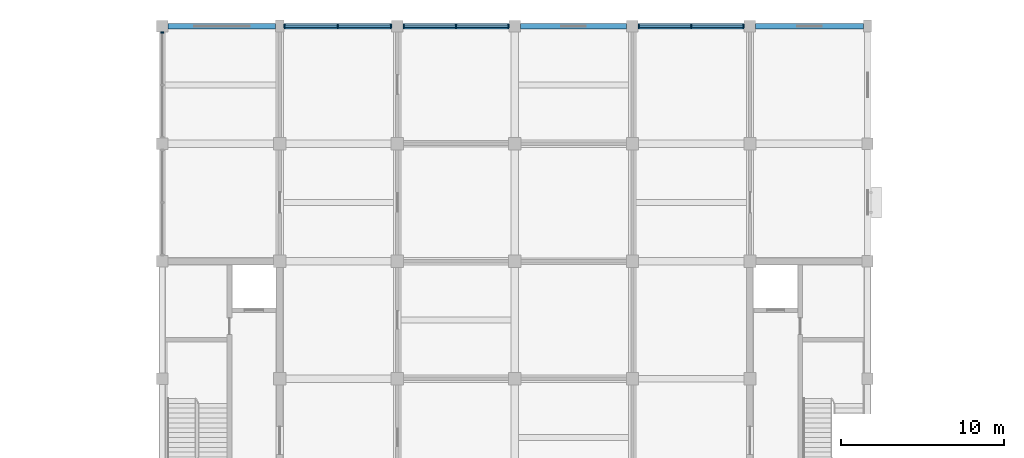
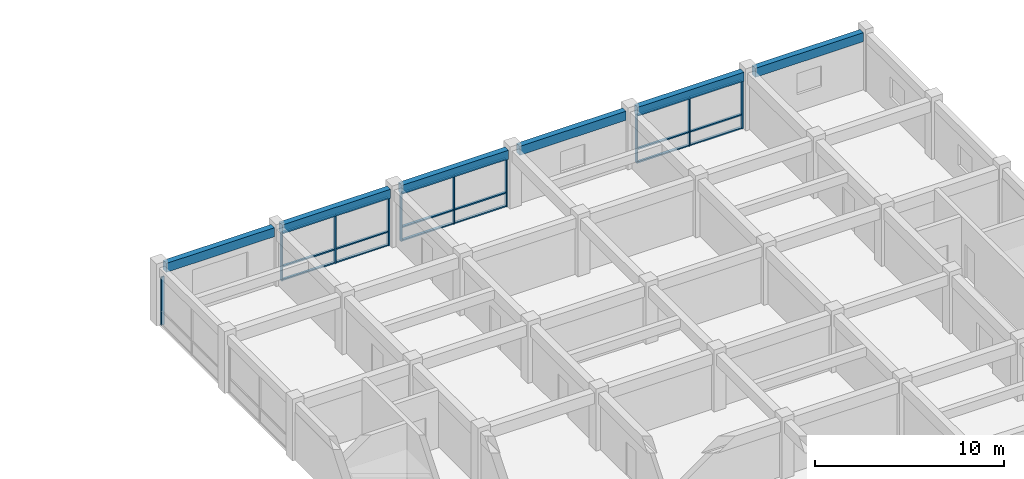
# One storey, part 10 of 25: 28 members, 6 beams, 4 elements without a shape of their own.
"""IFC4 building model written with IfcOpenShell, lengths in metres."""

from ifc_helpers import new_model, si_unit, direction, frame, origin, origin_2d, place, context, subcontext, project, spatial, rectangle, extrude, material, layer, layer_set, material_profile, profile_set, type_object, element, aggregate, save


model = new_model("IFC4")

# Units and contexts
model_context = context("Model", 3, precision=1e-05, world=origin(), true_north=direction((0.0, 1.0)))
body_context = subcontext(model_context, "Body", "Model", "MODEL_VIEW")
ifc_project = project(units=[si_unit("LENGTHUNIT", "METRE"), si_unit("AREAUNIT", "SQUARE_METRE"), si_unit("VOLUMEUNIT", "CUBIC_METRE"), si_unit("PLANEANGLEUNIT", "RADIAN"), si_unit("MASSUNIT", "GRAM", prefix="KILO")], contexts=[model_context])

# Site, building, storey
site_placement = place(None, origin())
site = spatial("IfcSite", under=ifc_project, at=site_placement, CompositionType="ELEMENT")
building_placement = place(site_placement, origin())
building = spatial("IfcBuilding", under=site, at=building_placement, Name="Cendaluz Park School", CompositionType="ELEMENT")
storey_placement = place(building_placement, frame((0.0, 0.0, 18.60009765625)))
storey = spatial("IfcBuildingStorey", under=building, at=storey_placement, Name="L04", CompositionType="ELEMENT", Elevation=18.60009765625)

# Beams
ifc_material_1 = material(Name="Concrete C40/50", Category="concrete")
ifc_material_profile_1 = material_profile(ifc_material_1, rectangle(XDim=0.35009765625, YDim=0.580078125, at=origin_2d()), Name="RC 350x580", Category="concrete")
ifc_profile_set_1 = profile_set([ifc_material_profile_1], Name="Concrete C40/50")
beam_type = type_object("IfcBeamType", Name="BM-RC04", PredefinedType="LINTEL", material=ifc_profile_set_1)
for number, where, z_axis, x_axis, name in (
    (1, (65.14990234375, 72.0, 3.39990234375), (1.0, 0.0, 0.0), (0.0, 1.0, 0.0), "BM-L04-BMRC04-0035"),
    (2, (72.25, 72.0, 3.39990234375), (1.0, 0.0, 0.0), (0.0, 1.0, 0.0), "BM-L04-BMRC04-0045"),
):
    element("IfcBeam", number, at=place(storey_placement, frame(where, z_axis=z_axis, x_axis=x_axis)), inside=storey, type_object=beam_type, Name=name, PredefinedType="LINTEL", context=body_context, shape_type="SweptSolid", body=[
        extrude(rectangle(XDim=0.35009765625, YDim=0.580078125, at=origin_2d()), origin(), (0.0, 0.0, 1.0), 6.60009765625),
    ])
for number, where, z_axis, x_axis, name in (
    (3, (79.550048828125, 72.0, 3.39990234375), (1.0, 0.0, 0.0), (0.0, 1.0, 0.0), "BM-L04-BMRC04-0055"),
    (4, (86.75, 72.0, 3.39990234375), (1.0, 0.0, 0.0), (0.0, 1.0, 0.0), "BM-L04-BMRC04-0065"),
    (5, (93.949951171875, 72.0, 3.39990234375), (1.0, 0.0, 0.0), (0.0, 1.0, 0.0), "BM-L04-BMRC04-0075"),
):
    element("IfcBeam", number, at=place(storey_placement, frame(where, z_axis=z_axis, x_axis=x_axis)), inside=storey, type_object=beam_type, Name=name, PredefinedType="LINTEL", context=body_context, shape_type="SweptSolid", body=[
        extrude(rectangle(XDim=0.35009765625, YDim=0.580078125, at=origin_2d()), origin(), (0.0, 0.0, 1.0), 6.5),
    ])
beam_placement = place(storey_placement, frame((101.14990234375, 72.0, 3.39990234375), z_axis=(1.0, 0.0, 0.0), x_axis=(0.0, 1.0, 0.0)))
element("IfcBeam", 6, at=beam_placement, inside=storey, type_object=beam_type, Name="BM-L04-BMRC04-0083", PredefinedType="LINTEL", context=body_context, shape_type="SweptSolid", body=[
    extrude(rectangle(XDim=0.35009765625, YDim=0.580078125, at=origin_2d()), origin(), (0.0, 0.0, 1.0), 6.60009765625),
])

# Curtain wall, member
ifc_material_2 = material(Name="Anodised Aluminium 6063-T6", Category="aluminium")
ifc_layer_1 = layer(ifc_material_2, 0.179931640625)
ifc_layer_set_1 = layer_set([ifc_layer_1], Name="Anodised Aluminium 6063-T6")
curtain_wall_type_1 = type_object("IfcCurtainWallType", Name="CW-130x62", PredefinedType="NOTDEFINED", material=ifc_layer_set_1)
curtain_wall_1_placement = place(storey_placement, origin())
curtain_wall_1 = element("IfcCurtainWall", 7, at=curtain_wall_1_placement, inside=storey, type_object=curtain_wall_type_1, Name="CW-L04-174", PredefinedType="NOTDEFINED")
ifc_material_profile_2 = material_profile(ifc_material_2, rectangle(XDim=0.199951171875, YDim=0.080078125, at=origin_2d()), Name="CWM 200x80", Category="aluminium")
ifc_profile_set_2 = profile_set([ifc_material_profile_2], Name="Anodised Aluminium 6063-T6")
member_type_1 = type_object("IfcMemberType", Name="CWM-02", PredefinedType="MULLION", material=ifc_profile_set_2)
member_1_placement = place(storey_placement, frame((64.800048828125, 71.610107421875, 0.0), z_axis=(0.0, 0.0, 1.0), x_axis=(-1.0, 0.0, 0.0)))
member_1 = element("IfcMember", 8, at=member_1_placement, type_object=member_type_1, Name="CP-L04-2252", PredefinedType="MULLION", context=body_context, shape_type="SweptSolid", body=[
    extrude(rectangle(XDim=0.199951171875, YDim=0.080078125, at=origin_2d()), origin(), (0.0, 0.0, 1.0), 3.10986328125),
])
aggregate(curtain_wall_1, [member_1])

# Curtain wall, members
ifc_layer_2 = layer(ifc_material_2, 0.179931640625)
ifc_layer_set_2 = layer_set([ifc_layer_2], Name="Anodised Aluminium 6063-T6")
curtain_wall_type_2 = type_object("IfcCurtainWallType", Name="CW-132x62", PredefinedType="NOTDEFINED", material=ifc_layer_set_2)
curtain_wall_2_placement = place(storey_placement, origin())
curtain_wall_2 = element("IfcCurtainWall", 9, at=curtain_wall_2_placement, inside=storey, type_object=curtain_wall_type_2, Name="CW-L04-176", PredefinedType="NOTDEFINED")
member_2_placement = place(storey_placement, frame((72.2900390625, 72.0, 0.0), z_axis=(0.0, 0.0, 1.0), x_axis=(0.0, 1.0, 0.0)))
member_2 = element("IfcMember", 10, at=member_2_placement, type_object=member_type_1, Name="CP-L04-2276", PredefinedType="MULLION", context=body_context, shape_type="SweptSolid", body=[
    extrude(rectangle(XDim=0.199951171875, YDim=0.080078125, at=origin_2d()), origin(), (0.0, 0.0, 1.0), 3.10986328125),
])
member_3_placement = place(storey_placement, frame((75.550048828125, 72.0, 0.0), z_axis=(0.0, 0.0, 1.0), x_axis=(0.0, 1.0, 0.0)))
member_3 = element("IfcMember", 11, at=member_3_placement, type_object=member_type_1, Name="CP-L04-2277", PredefinedType="MULLION", context=body_context, shape_type="SweptSolid", body=[
    extrude(rectangle(XDim=0.199951171875, YDim=0.080078125, at=origin_2d()), origin(), (0.0, 0.0, 1.0), 3.10986328125),
])
member_4_placement = place(storey_placement, frame((78.81005859375, 72.0, 0.0), z_axis=(0.0, 0.0, 1.0), x_axis=(0.0, 1.0, 0.0)))
member_4 = element("IfcMember", 12, at=member_4_placement, type_object=member_type_1, Name="CP-L04-2278", PredefinedType="MULLION", context=body_context, shape_type="SweptSolid", body=[
    extrude(rectangle(XDim=0.199951171875, YDim=0.080078125, at=origin_2d()), origin(), (0.0, 0.0, 1.0), 3.10986328125),
])

curtain_wall_3_placement = place(storey_placement, origin())
curtain_wall_3 = element("IfcCurtainWall", 13, at=curtain_wall_3_placement, inside=storey, type_object=curtain_wall_type_1, Name="CW-L04-178", PredefinedType="NOTDEFINED")
member_5_placement = place(storey_placement, frame((79.590087890625, 72.0, 0.0), z_axis=(0.0, 0.0, 1.0), x_axis=(0.0, 1.0, 0.0)))
member_5 = element("IfcMember", 14, at=member_5_placement, type_object=member_type_1, Name="CP-L04-2302", PredefinedType="MULLION", context=body_context, shape_type="SweptSolid", body=[
    extrude(rectangle(XDim=0.199951171875, YDim=0.080078125, at=origin_2d()), origin(), (0.0, 0.0, 1.0), 3.10986328125),
])
member_6_placement = place(storey_placement, frame((82.800048828125, 72.0, 0.0), z_axis=(0.0, 0.0, 1.0), x_axis=(0.0, 1.0, 0.0)))
member_6 = element("IfcMember", 15, at=member_6_placement, type_object=member_type_1, Name="CP-L04-2303", PredefinedType="MULLION", context=body_context, shape_type="SweptSolid", body=[
    extrude(rectangle(XDim=0.199951171875, YDim=0.080078125, at=origin_2d()), origin(), (0.0, 0.0, 1.0), 3.10986328125),
])
member_7_placement = place(storey_placement, frame((86.010009765625, 72.0, 0.0), z_axis=(0.0, 0.0, 1.0), x_axis=(0.0, 1.0, 0.0)))
member_7 = element("IfcMember", 16, at=member_7_placement, type_object=member_type_1, Name="CP-L04-2304", PredefinedType="MULLION", context=body_context, shape_type="SweptSolid", body=[
    extrude(rectangle(XDim=0.199951171875, YDim=0.080078125, at=origin_2d()), origin(), (0.0, 0.0, 1.0), 3.10986328125),
])

curtain_wall_4_placement = place(storey_placement, origin())
curtain_wall_4 = element("IfcCurtainWall", 17, at=curtain_wall_4_placement, inside=storey, type_object=curtain_wall_type_1, Name="CW-L04-180", PredefinedType="NOTDEFINED")
member_8_placement = place(storey_placement, frame((93.989990234375, 72.0, 0.0), z_axis=(0.0, 0.0, 1.0), x_axis=(0.0, 1.0, 0.0)))
member_8 = element("IfcMember", 18, at=member_8_placement, type_object=member_type_1, Name="CP-L04-2328", PredefinedType="MULLION", context=body_context, shape_type="SweptSolid", body=[
    extrude(rectangle(XDim=0.199951171875, YDim=0.080078125, at=origin_2d()), origin(), (0.0, 0.0, 1.0), 3.10986328125),
])
member_9_placement = place(storey_placement, frame((97.199951171875, 72.0, 0.0), z_axis=(0.0, 0.0, 1.0), x_axis=(0.0, 1.0, 0.0)))
member_9 = element("IfcMember", 19, at=member_9_placement, type_object=member_type_1, Name="CP-L04-2329", PredefinedType="MULLION", context=body_context, shape_type="SweptSolid", body=[
    extrude(rectangle(XDim=0.199951171875, YDim=0.080078125, at=origin_2d()), origin(), (0.0, 0.0, 1.0), 3.10986328125),
])
member_10_placement = place(storey_placement, frame((100.409912109375, 72.0, 0.0), z_axis=(0.0, 0.0, 1.0), x_axis=(0.0, 1.0, 0.0)))
member_10 = element("IfcMember", 20, at=member_10_placement, type_object=member_type_1, Name="CP-L04-2330", PredefinedType="MULLION", context=body_context, shape_type="SweptSolid", body=[
    extrude(rectangle(XDim=0.199951171875, YDim=0.080078125, at=origin_2d()), origin(), (0.0, 0.0, 1.0), 3.10986328125),
])

# Member
ifc_material_profile_3 = material_profile(ifc_material_2, rectangle(XDim=0.14990234375, YDim=0.080078125, at=origin_2d()), Name="CWT 150x80", Category="aluminium")
ifc_profile_set_3 = profile_set([ifc_material_profile_3], Name="Anodised Aluminium 6063-T6")
member_type_2 = type_object("IfcMemberType", Name="CWT-02", PredefinedType="USERDEFINED", material=ifc_profile_set_3)
member_11_placement = place(storey_placement, frame((72.330078125, 72.0, 0.039794921875), z_axis=(1.0, 0.0, 0.0), x_axis=(0.0, 1.0, 0.0)))
member_11 = element("IfcMember", 21, at=member_11_placement, type_object=member_type_2, Name="CP-L04-2279", ObjectType="TRANSOM", PredefinedType="USERDEFINED", context=body_context, shape_type="SweptSolid", body=[
    extrude(rectangle(XDim=0.14990234375, YDim=0.080078125, at=origin_2d()), origin(), (0.0, 0.0, 1.0), 3.179931640625),
])

member_12_placement = place(storey_placement, frame((72.330078125, 72.0, 0.89990234375), z_axis=(1.0, 0.0, 0.0), x_axis=(0.0, 1.0, 0.0)))
member_12 = element("IfcMember", 22, at=member_12_placement, type_object=member_type_2, Name="CP-L04-2280", ObjectType="TRANSOM", PredefinedType="USERDEFINED", context=body_context, shape_type="SweptSolid", body=[
    extrude(rectangle(XDim=0.14990234375, YDim=0.080078125, at=origin_2d()), origin(), (0.0, 0.0, 1.0), 3.179931640625),
])

member_13_placement = place(storey_placement, frame((72.330078125, 72.0, 3.06982421875), z_axis=(1.0, 0.0, 0.0), x_axis=(0.0, 1.0, 0.0)))
member_13 = element("IfcMember", 23, at=member_13_placement, type_object=member_type_2, Name="CP-L04-2281", ObjectType="TRANSOM", PredefinedType="USERDEFINED", context=body_context, shape_type="SweptSolid", body=[
    extrude(rectangle(XDim=0.14990234375, YDim=0.080078125, at=origin_2d()), origin(), (0.0, 0.0, 1.0), 3.179931640625),
])

member_14_placement = place(storey_placement, frame((75.590087890625, 72.0, 0.039794921875), z_axis=(1.0, 0.0, 0.0), x_axis=(0.0, 1.0, 0.0)))
member_14 = element("IfcMember", 24, at=member_14_placement, type_object=member_type_2, Name="CP-L04-2284", ObjectType="TRANSOM", PredefinedType="USERDEFINED", context=body_context, shape_type="SweptSolid", body=[
    extrude(rectangle(XDim=0.14990234375, YDim=0.080078125, at=origin_2d()), origin(), (0.0, 0.0, 1.0), 3.179931640625),
])

member_15_placement = place(storey_placement, frame((75.590087890625, 72.0, 0.89990234375), z_axis=(1.0, 0.0, 0.0), x_axis=(0.0, 1.0, 0.0)))
member_15 = element("IfcMember", 25, at=member_15_placement, type_object=member_type_2, Name="CP-L04-2285", ObjectType="TRANSOM", PredefinedType="USERDEFINED", context=body_context, shape_type="SweptSolid", body=[
    extrude(rectangle(XDim=0.14990234375, YDim=0.080078125, at=origin_2d()), origin(), (0.0, 0.0, 1.0), 3.179931640625),
])

member_16_placement = place(storey_placement, frame((75.590087890625, 72.0, 3.06982421875), z_axis=(1.0, 0.0, 0.0), x_axis=(0.0, 1.0, 0.0)))
member_16 = element("IfcMember", 26, at=member_16_placement, type_object=member_type_2, Name="CP-L04-2286", ObjectType="TRANSOM", PredefinedType="USERDEFINED", context=body_context, shape_type="SweptSolid", body=[
    extrude(rectangle(XDim=0.14990234375, YDim=0.080078125, at=origin_2d()), origin(), (0.0, 0.0, 1.0), 3.179931640625),
])

aggregate(curtain_wall_2, [member_2, member_3, member_4, member_11, member_12, member_13, member_14, member_15, member_16])

member_17_placement = place(storey_placement, frame((79.6298828125, 72.0, 0.039794921875), z_axis=(1.0, 0.0, 0.0), x_axis=(0.0, 1.0, 0.0)))
member_17 = element("IfcMember", 27, at=member_17_placement, type_object=member_type_2, Name="CP-L04-2305", ObjectType="TRANSOM", PredefinedType="USERDEFINED", context=body_context, shape_type="SweptSolid", body=[
    extrude(rectangle(XDim=0.14990234375, YDim=0.080078125, at=origin_2d()), origin(), (0.0, 0.0, 1.0), 3.130126953125),
])

member_18_placement = place(storey_placement, frame((79.6298828125, 72.0, 0.89990234375), z_axis=(1.0, 0.0, 0.0), x_axis=(0.0, 1.0, 0.0)))
member_18 = element("IfcMember", 28, at=member_18_placement, type_object=member_type_2, Name="CP-L04-2306", ObjectType="TRANSOM", PredefinedType="USERDEFINED", context=body_context, shape_type="SweptSolid", body=[
    extrude(rectangle(XDim=0.14990234375, YDim=0.080078125, at=origin_2d()), origin(), (0.0, 0.0, 1.0), 3.130126953125),
])

member_19_placement = place(storey_placement, frame((79.6298828125, 72.0, 3.06982421875), z_axis=(1.0, 0.0, 0.0), x_axis=(0.0, 1.0, 0.0)))
member_19 = element("IfcMember", 29, at=member_19_placement, type_object=member_type_2, Name="CP-L04-2307", ObjectType="TRANSOM", PredefinedType="USERDEFINED", context=body_context, shape_type="SweptSolid", body=[
    extrude(rectangle(XDim=0.14990234375, YDim=0.080078125, at=origin_2d()), origin(), (0.0, 0.0, 1.0), 3.130126953125),
])

member_20_placement = place(storey_placement, frame((82.840087890625, 72.0, 0.039794921875), z_axis=(1.0, 0.0, 0.0), x_axis=(0.0, 1.0, 0.0)))
member_20 = element("IfcMember", 30, at=member_20_placement, type_object=member_type_2, Name="CP-L04-2310", ObjectType="TRANSOM", PredefinedType="USERDEFINED", context=body_context, shape_type="SweptSolid", body=[
    extrude(rectangle(XDim=0.14990234375, YDim=0.080078125, at=origin_2d()), origin(), (0.0, 0.0, 1.0), 3.1298828125),
])

member_21_placement = place(storey_placement, frame((82.840087890625, 72.0, 0.89990234375), z_axis=(1.0, 0.0, 0.0), x_axis=(0.0, 1.0, 0.0)))
member_21 = element("IfcMember", 31, at=member_21_placement, type_object=member_type_2, Name="CP-L04-2311", ObjectType="TRANSOM", PredefinedType="USERDEFINED", context=body_context, shape_type="SweptSolid", body=[
    extrude(rectangle(XDim=0.14990234375, YDim=0.080078125, at=origin_2d()), origin(), (0.0, 0.0, 1.0), 3.1298828125),
])

member_22_placement = place(storey_placement, frame((82.840087890625, 72.0, 3.06982421875), z_axis=(1.0, 0.0, 0.0), x_axis=(0.0, 1.0, 0.0)))
member_22 = element("IfcMember", 32, at=member_22_placement, type_object=member_type_2, Name="CP-L04-2312", ObjectType="TRANSOM", PredefinedType="USERDEFINED", context=body_context, shape_type="SweptSolid", body=[
    extrude(rectangle(XDim=0.14990234375, YDim=0.080078125, at=origin_2d()), origin(), (0.0, 0.0, 1.0), 3.1298828125),
])

aggregate(curtain_wall_3, [member_5, member_6, member_7, member_17, member_18, member_19, member_20, member_21, member_22])

member_23_placement = place(storey_placement, frame((94.030029296875, 72.0, 0.039794921875), z_axis=(1.0, 0.0, 0.0), x_axis=(0.0, 1.0, 0.0)))
member_23 = element("IfcMember", 33, at=member_23_placement, type_object=member_type_2, Name="CP-L04-2331", ObjectType="TRANSOM", PredefinedType="USERDEFINED", context=body_context, shape_type="SweptSolid", body=[
    extrude(rectangle(XDim=0.14990234375, YDim=0.080078125, at=origin_2d()), origin(), (0.0, 0.0, 1.0), 3.1298828125),
])

member_24_placement = place(storey_placement, frame((94.030029296875, 72.0, 0.89990234375), z_axis=(1.0, 0.0, 0.0), x_axis=(0.0, 1.0, 0.0)))
member_24 = element("IfcMember", 34, at=member_24_placement, type_object=member_type_2, Name="CP-L04-2332", ObjectType="TRANSOM", PredefinedType="USERDEFINED", context=body_context, shape_type="SweptSolid", body=[
    extrude(rectangle(XDim=0.14990234375, YDim=0.080078125, at=origin_2d()), origin(), (0.0, 0.0, 1.0), 3.1298828125),
])

member_25_placement = place(storey_placement, frame((94.030029296875, 72.0, 3.06982421875), z_axis=(1.0, 0.0, 0.0), x_axis=(0.0, 1.0, 0.0)))
member_25 = element("IfcMember", 35, at=member_25_placement, type_object=member_type_2, Name="CP-L04-2333", ObjectType="TRANSOM", PredefinedType="USERDEFINED", context=body_context, shape_type="SweptSolid", body=[
    extrude(rectangle(XDim=0.14990234375, YDim=0.080078125, at=origin_2d()), origin(), (0.0, 0.0, 1.0), 3.1298828125),
])

member_26_placement = place(storey_placement, frame((97.239990234375, 72.0, 0.039794921875), z_axis=(1.0, 0.0, 0.0), x_axis=(0.0, 1.0, 0.0)))
member_26 = element("IfcMember", 36, at=member_26_placement, type_object=member_type_2, Name="CP-L04-2336", ObjectType="TRANSOM", PredefinedType="USERDEFINED", context=body_context, shape_type="SweptSolid", body=[
    extrude(rectangle(XDim=0.14990234375, YDim=0.080078125, at=origin_2d()), origin(), (0.0, 0.0, 1.0), 3.130126953125),
])

member_27_placement = place(storey_placement, frame((97.239990234375, 72.0, 0.89990234375), z_axis=(1.0, 0.0, 0.0), x_axis=(0.0, 1.0, 0.0)))
member_27 = element("IfcMember", 37, at=member_27_placement, type_object=member_type_2, Name="CP-L04-2337", ObjectType="TRANSOM", PredefinedType="USERDEFINED", context=body_context, shape_type="SweptSolid", body=[
    extrude(rectangle(XDim=0.14990234375, YDim=0.080078125, at=origin_2d()), origin(), (0.0, 0.0, 1.0), 3.130126953125),
])

member_28_placement = place(storey_placement, frame((97.239990234375, 72.0, 3.06982421875), z_axis=(1.0, 0.0, 0.0), x_axis=(0.0, 1.0, 0.0)))
member_28 = element("IfcMember", 38, at=member_28_placement, type_object=member_type_2, Name="CP-L04-2338", ObjectType="TRANSOM", PredefinedType="USERDEFINED", context=body_context, shape_type="SweptSolid", body=[
    extrude(rectangle(XDim=0.14990234375, YDim=0.080078125, at=origin_2d()), origin(), (0.0, 0.0, 1.0), 3.130126953125),
])

aggregate(curtain_wall_4, [member_8, member_9, member_10, member_23, member_24, member_25, member_26, member_27, member_28])

save(model, "model.ifc")
